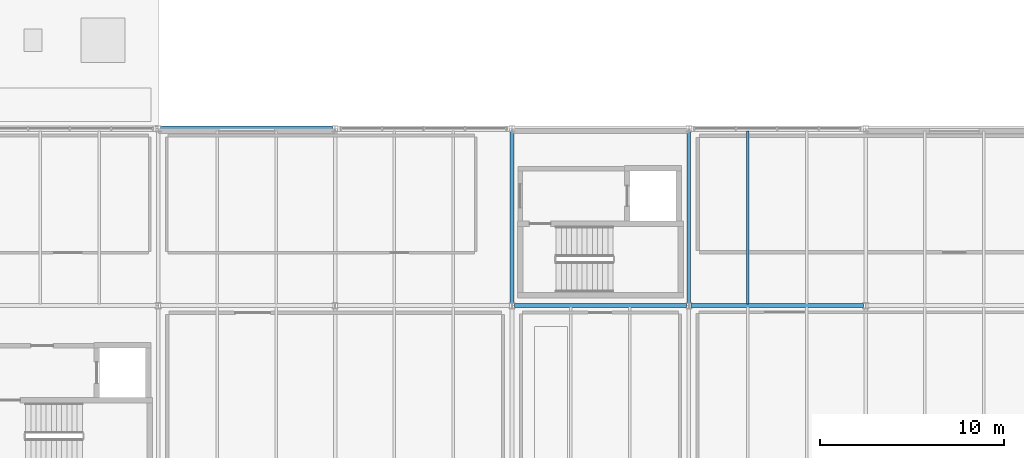
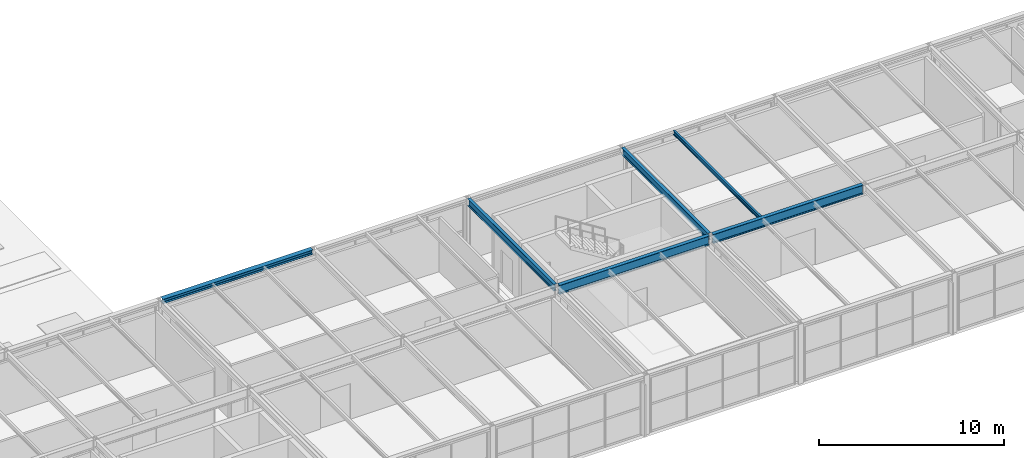
# One storey, part 24 of 50: 6 beams.
"""IFC4 building model written with IfcOpenShell, lengths in metres."""

from ifc_helpers import new_model, si_unit, direction, frame, origin, origin_2d, place, context, subcontext, project, spatial, i_section, extrude, material, material_profile, profile_set, type_object, element, save


model = new_model("IFC4")

# Units and contexts
model_context = context("Model", 3, precision=1e-05, world=origin(), true_north=direction((0.0, 1.0)))
body_context = subcontext(model_context, "Body", "Model", "MODEL_VIEW")
ifc_project = project(units=[si_unit("LENGTHUNIT", "METRE"), si_unit("AREAUNIT", "SQUARE_METRE"), si_unit("VOLUMEUNIT", "CUBIC_METRE"), si_unit("PLANEANGLEUNIT", "RADIAN"), si_unit("MASSUNIT", "GRAM", prefix="KILO")], contexts=[model_context])

# Site, building, storey
site_placement = place(None, origin())
site = spatial("IfcSite", under=ifc_project, at=site_placement, CompositionType="ELEMENT")
building_placement = place(site_placement, origin())
building = spatial("IfcBuilding", under=site, at=building_placement, Name="Coralgate Yard Interchange", CompositionType="ELEMENT")
storey_placement = place(building_placement, frame((0.0, 0.0, 14.699951171875)))
storey = spatial("IfcBuildingStorey", under=building, at=storey_placement, Name="L03", CompositionType="ELEMENT", Elevation=14.699951171875)

# Beams
ifc_material = material(Name="Structural steel S355J2", Category="steel")
ifc_material_profile_1 = material_profile(ifc_material, i_section(OverallWidth=0.1904296875, OverallDepth=0.45703125, WebThickness=0.009033203125, FlangeThickness=0.014404296875, FilletRadius=0.01025390625, at=origin_2d()), Name="UB 457x191x74")
ifc_profile_set_1 = profile_set([ifc_material_profile_1], Name="Structural steel S355J2")
beam_type_1 = type_object("IfcBeamType", Name="BM-SB-2", PredefinedType="BEAM", material=ifc_profile_set_1)
for number, where, z_axis, x_axis, name in (
    (1, (48.0, 9.7333984375, 3.721435546875), (0.0, 1.0, 0.0), (-1.0, 0.0, 0.0), "L03 primary grid girder X5 Y1-2"),
    (2, (57.60009765625, 9.7333984375, 3.721435546875), (0.0, 1.0, 0.0), (-1.0, 0.0, 0.0), "L03 primary grid girder X6 Y1-2"),
):
    element("IfcBeam", number, at=place(storey_placement, frame(where, z_axis=z_axis, x_axis=x_axis)), inside=storey, type_object=beam_type_1, Name=name, PredefinedType="BEAM", context=body_context, shape_type="SweptSolid", body=[
        extrude(i_section(OverallWidth=0.1904296875, OverallDepth=0.45703125, WebThickness=0.009033203125, FlangeThickness=0.014404296875, FilletRadius=0.01025390625, at=origin_2d()), origin(), (0.0, 0.0, 1.0), 9.3330078125),
    ])
ifc_material_profile_2 = material_profile(ifc_material, i_section(OverallWidth=0.228271484375, OverallDepth=0.607666015625, WebThickness=0.010986328125, FlangeThickness=0.017333984375, FilletRadius=0.0126953125, at=origin_2d()), Name="UB 610x229x113")
ifc_profile_set_2 = profile_set([ifc_material_profile_2], Name="Structural steel S355J2")
beam_type_2 = type_object("IfcBeamType", Name="BM-SG-5", PredefinedType="BEAM", material=ifc_profile_set_2)
for number, where, z_axis, x_axis, name in (
    (3, (48.12548828125, 9.60009765625, 3.646240234375), (1.0, 0.0, 0.0), (0.0, 1.0, 0.0), "L03 primary grid beam Y1 X5-6"),
    (4, (57.7255859375, 9.60009765625, 3.646240234375), (1.0, 0.0, 0.0), (0.0, 1.0, 0.0), "L03 primary grid beam Y1 X6-7"),
):
    element("IfcBeam", number, at=place(storey_placement, frame(where, z_axis=z_axis, x_axis=x_axis)), inside=storey, type_object=beam_type_2, Name=name, PredefinedType="BEAM", context=body_context, shape_type="SweptSolid", body=[
        extrude(i_section(OverallWidth=0.228271484375, OverallDepth=0.607666015625, WebThickness=0.010986328125, FlangeThickness=0.017333984375, FilletRadius=0.0126953125, at=origin_2d()), origin(), (0.0, 0.0, 1.0), 9.348876953125),
    ])
ifc_material_profile_3 = material_profile(ifc_material, i_section(OverallWidth=0.135009765625, OverallDepth=0.27001953125, WebThickness=0.006591796875, FlangeThickness=0.01025390625, FilletRadius=0.014892578125, at=origin_2d()), Name="IPE 270")
ifc_profile_set_3 = profile_set([ifc_material_profile_3], Name="Structural steel S355J2")
beam_type_3 = type_object("IfcBeamType", Name="BM-SJ-3", PredefinedType="JOIST", material=ifc_profile_set_3)
beam_1_placement = place(storey_placement, frame((60.800048828125, 9.68408203125, 3.81494140625), z_axis=(0.0, 1.0, 0.0), x_axis=(-1.0, 0.0, 0.0)))
element("IfcBeam", 5, at=beam_1_placement, inside=storey, type_object=beam_type_3, Name="L03 composite floor joist 6-1-1", PredefinedType="JOIST", context=body_context, shape_type="SweptSolid", body=[
    extrude(i_section(OverallWidth=0.135009765625, OverallDepth=0.27001953125, WebThickness=0.006591796875, FlangeThickness=0.01025390625, FilletRadius=0.014892578125, at=origin_2d()), origin(), (0.0, 0.0, 1.0), 9.39599609375),
])
ifc_material_profile_4 = material_profile(ifc_material, i_section(OverallWidth=0.300048828125, OverallDepth=0.2900390625, WebThickness=0.008544921875, FlangeThickness=0.013916015625, FilletRadius=0.027099609375, at=origin_2d()), Name="HEA 300")
ifc_profile_set_4 = profile_set([ifc_material_profile_4], Name="Structural steel S355J2")
beam_type_4 = type_object("IfcBeamType", Name="BM-SP-2", PredefinedType="SPANDREL", material=ifc_profile_set_4)
beam_2_placement = place(storey_placement, frame((28.925537109375, 19.199951171875, 3.804931640625), z_axis=(1.0, 0.0, 0.0), x_axis=(0.0, 1.0, 0.0)))
element("IfcBeam", 6, at=beam_2_placement, inside=storey, type_object=beam_type_4, Name="L03 primary grid beam Y2 X3-4", PredefinedType="SPANDREL", context=body_context, shape_type="SweptSolid", body=[
    extrude(i_section(OverallWidth=0.300048828125, OverallDepth=0.2900390625, WebThickness=0.008544921875, FlangeThickness=0.013916015625, FilletRadius=0.027099609375, at=origin_2d()), origin(), (0.0, 0.0, 1.0), 9.348876953125),
])

save(model, "model.ifc")
